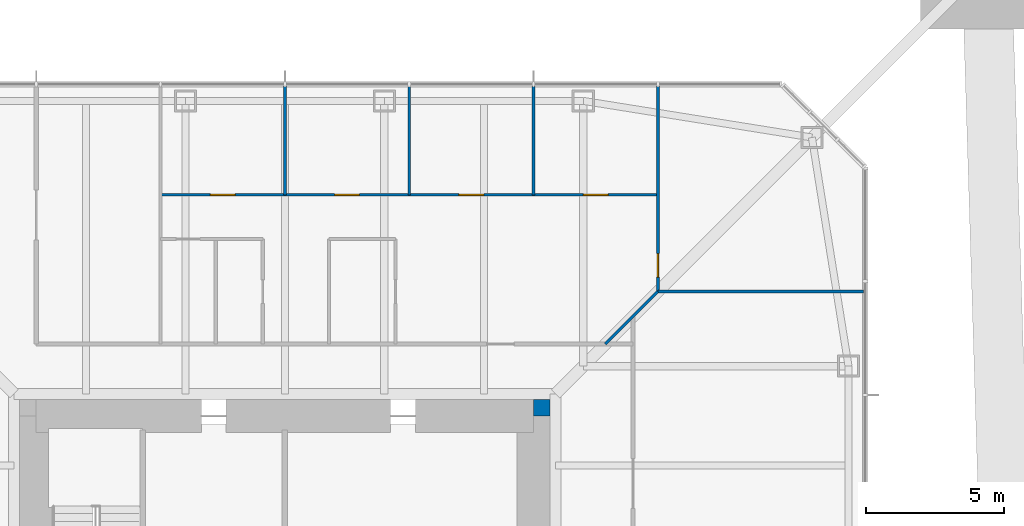
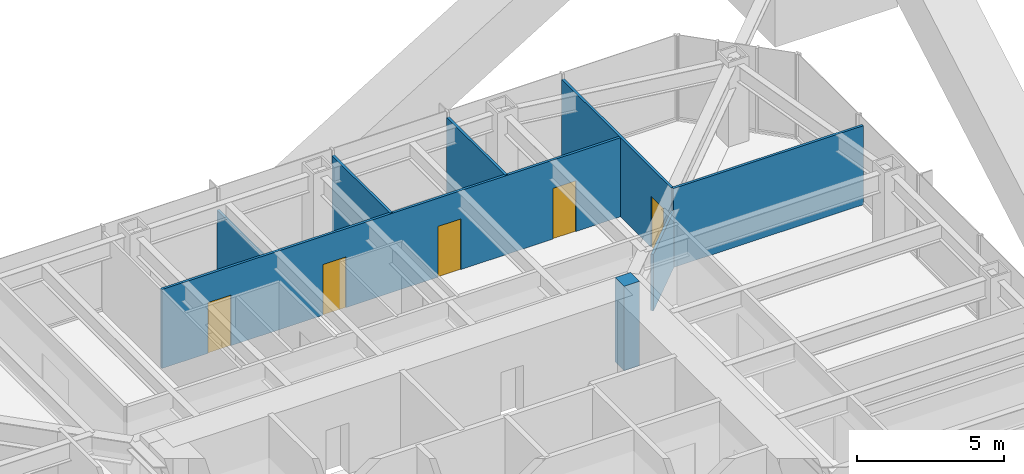
# One storey, part 20 of 28: 8 walls, 5 doors, 5 openings.
"""IFC4 building model written with IfcOpenShell, lengths in metres."""

from ifc_helpers import new_model, si_unit, direction, frame, frame_2d, origin, place, context, subcontext, project, spatial, rectangle, extrude, material, layer, layer_set, type_object, element, fill, save


model = new_model("IFC4")

# Units and contexts
model_context = context("Model", 3, precision=1e-05, world=origin(), true_north=direction((0.0, 1.0)))
body_context = subcontext(model_context, "Body", "Model", "MODEL_VIEW")
ifc_project = project(units=[si_unit("LENGTHUNIT", "METRE"), si_unit("AREAUNIT", "SQUARE_METRE"), si_unit("VOLUMEUNIT", "CUBIC_METRE"), si_unit("PLANEANGLEUNIT", "RADIAN"), si_unit("MASSUNIT", "GRAM", prefix="KILO")], contexts=[model_context])

# Site, building, storey
site_placement = place(None, origin())
site = spatial("IfcSite", under=ifc_project, at=site_placement, CompositionType="ELEMENT")
building_placement = place(site_placement, origin())
building = spatial("IfcBuilding", under=site, at=building_placement, Name="Iwan Alto Co-Living Towers", CompositionType="ELEMENT")
storey_placement = place(building_placement, frame((0.0, 0.0, 98.0)))
storey = spatial("IfcBuildingStorey", under=building, at=storey_placement, Name="L26", CompositionType="ELEMENT", Elevation=98.0)

# Wall
ifc_material_1 = material(Name="Gypsum board")
ifc_layer_1 = layer(ifc_material_1, 0.012451171875, Name="Board", Category="Finish")
ifc_material_2 = material(Name="Steel ASTM A1003 ST33H cold-formed studs", Category="steel")
ifc_layer_2 = layer(ifc_material_2, 0.074951171875, Name="Studs", Category="Framing")
ifc_layer_3 = layer(ifc_material_1, 0.012451171875, Name="Board", Category="Finish")
ifc_layer_set_1 = layer_set([ifc_layer_1, ifc_layer_2, ifc_layer_3], Name="PARTITION 100")
wall_type_1 = type_object("IfcWallType", Name="PARTITION 100", PredefinedType="PARTITIONING", material=ifc_layer_set_1)
wall_1_placement = place(storey_placement, frame((13.5, 13.5, 0.0), z_axis=(0.0, 0.0, 1.0), x_axis=(1.0, 0.0, 0.0)))
element("IfcWall", 1, at=wall_1_placement, inside=storey, type_object=wall_type_1, Name="Partition L26", PredefinedType="PARTITIONING", context=body_context, shape_type="SweptSolid", body=[
    extrude(rectangle(XDim=7.43994140625, YDim=0.10009765625, at=frame_2d((3.719970703125, 0.0))), origin(), (0.0, 0.0, 1.0), 3.27001953125),
])

# Wall, openings, doors
wall_2_placement = place(storey_placement, frame((-4.5, 17.0, 0.0), z_axis=(0.0, 0.0, 1.0), x_axis=(1.0, 0.0, 0.0)))
wall_2 = element("IfcWall", 2, at=wall_2_placement, inside=storey, type_object=wall_type_1, Name="Partition L26", PredefinedType="PARTITIONING", context=body_context, shape_type="SweptSolid", body=[
    extrude(rectangle(XDim=18.0, YDim=0.10009765625, at=frame_2d((9.0, 0.0))), origin(), (0.0, 0.0, 1.0), 3.27001953125),
])
opening_1_placement = place(wall_2_placement, frame((15.300048828125, 0.0, 0.0)))
opening_1 = element("IfcOpeningElement", 3, at=opening_1_placement, cuts=wall_2, Name="Opening D1", PredefinedType="OPENING", context=body_context, shape_type="SweptSolid", body=[
    extrude(rectangle(XDim=0.89990234375, YDim=2.10009765625, at=frame_2d((0.449951171875, 1.050048828125))), frame((0.0, 0.06005859375, 0.0), z_axis=(0.0, -1.0, 0.0), x_axis=(1.0, 0.0, 0.0)), (0.0, 0.0, 1.0), 0.1201171875),
])
opening_2_placement = place(wall_2_placement, frame((10.800048828125, 0.0, 0.0)))
opening_2 = element("IfcOpeningElement", 4, at=opening_2_placement, cuts=wall_2, Name="Opening D1", PredefinedType="OPENING", context=body_context, shape_type="SweptSolid", body=[
    extrude(rectangle(XDim=0.89990234375, YDim=2.10009765625, at=frame_2d((0.449951171875, 1.050048828125))), frame((0.0, 0.06005859375, 0.0), z_axis=(0.0, -1.0, 0.0), x_axis=(1.0, 0.0, 0.0)), (0.0, 0.0, 1.0), 0.1201171875),
])
opening_3_placement = place(wall_2_placement, frame((6.300048828125, 0.0, 0.0)))
opening_3 = element("IfcOpeningElement", 5, at=opening_3_placement, cuts=wall_2, Name="Opening D1", PredefinedType="OPENING", context=body_context, shape_type="SweptSolid", body=[
    extrude(rectangle(XDim=0.89990234375, YDim=2.10009765625, at=frame_2d((0.449951171875, 1.050048828125))), frame((0.0, 0.06005859375, 0.0), z_axis=(0.0, -1.0, 0.0), x_axis=(1.0, 0.0, 0.0)), (0.0, 0.0, 1.0), 0.1201171875),
])
opening_4_placement = place(wall_2_placement, frame((1.800048828125, 0.0, 0.0)))
opening_4 = element("IfcOpeningElement", 6, at=opening_4_placement, cuts=wall_2, Name="Opening D1", PredefinedType="OPENING", context=body_context, shape_type="SweptSolid", body=[
    extrude(rectangle(XDim=0.89990234375, YDim=2.10009765625, at=frame_2d((0.449951171875, 1.050048828125))), frame((0.0, 0.06005859375, 0.0), z_axis=(0.0, -1.0, 0.0), x_axis=(1.0, 0.0, 0.0)), (0.0, 0.0, 1.0), 0.1201171875),
])
ifc_material_3 = material(Name="Timber leaf in steel frame", Category="steel")
door_type_1 = type_object("IfcDoorType", Name="BEDROOM DOOR 900X2100", OperationType="SINGLE_SWING_LEFT", PredefinedType="DOOR", material=ifc_material_3)
door_1_placement = place(opening_1_placement, frame((0.89990234375, 0.0, 0.0), z_axis=(0.0, 0.0, 1.0), x_axis=(-1.0, 0.0, 0.0)))
door_1 = element("IfcDoor", 7, at=door_1_placement, inside=storey, type_object=door_type_1, Name="Study bedroom door L26", OperationType="SINGLE_SWING_LEFT", OverallHeight=2.10009765625, OverallWidth=0.89990234375, PredefinedType="DOOR", context=body_context, shape_type="SweptSolid", body=[
    extrude(rectangle(XDim=0.89990234375, YDim=2.10009765625, at=frame_2d((0.449951171875, 1.050048828125))), frame((0.0, 0.02490234375, 0.0), z_axis=(0.0, -1.0, 0.0), x_axis=(1.0, 0.0, 0.0)), (0.0, 0.0, 1.0), 0.050048828125),
])
fill(opening_1, door_1)
door_2_placement = place(opening_2_placement, frame((0.89990234375, 0.0, 0.0), z_axis=(0.0, 0.0, 1.0), x_axis=(-1.0, 0.0, 0.0)))
door_2 = element("IfcDoor", 8, at=door_2_placement, inside=storey, type_object=door_type_1, Name="Study bedroom door L26", OperationType="SINGLE_SWING_LEFT", OverallHeight=2.10009765625, OverallWidth=0.89990234375, PredefinedType="DOOR", context=body_context, shape_type="SweptSolid", body=[
    extrude(rectangle(XDim=0.89990234375, YDim=2.10009765625, at=frame_2d((0.449951171875, 1.050048828125))), frame((0.0, 0.02490234375, 0.0), z_axis=(0.0, -1.0, 0.0), x_axis=(1.0, 0.0, 0.0)), (0.0, 0.0, 1.0), 0.050048828125),
])
fill(opening_2, door_2)
door_3_placement = place(opening_3_placement, frame((0.89990234375, 0.0, 0.0), z_axis=(0.0, 0.0, 1.0), x_axis=(-1.0, 0.0, 0.0)))
door_3 = element("IfcDoor", 9, at=door_3_placement, inside=storey, type_object=door_type_1, Name="Study bedroom door L26", OperationType="SINGLE_SWING_RIGHT", OverallHeight=2.10009765625, OverallWidth=0.89990234375, PredefinedType="DOOR", context=body_context, shape_type="SweptSolid", body=[
    extrude(rectangle(XDim=0.89990234375, YDim=2.10009765625, at=frame_2d((0.449951171875, 1.050048828125))), frame((0.0, 0.02490234375, 0.0), z_axis=(0.0, -1.0, 0.0), x_axis=(1.0, 0.0, 0.0)), (0.0, 0.0, 1.0), 0.050048828125),
])
fill(opening_3, door_3)
door_4_placement = place(opening_4_placement, frame((0.89990234375, 0.0, 0.0), z_axis=(0.0, 0.0, 1.0), x_axis=(-1.0, 0.0, 0.0)))
door_4 = element("IfcDoor", 10, at=door_4_placement, inside=storey, type_object=door_type_1, Name="Study bedroom door L26", OperationType="SINGLE_SWING_RIGHT", OverallHeight=2.10009765625, OverallWidth=0.89990234375, PredefinedType="DOOR", context=body_context, shape_type="SweptSolid", body=[
    extrude(rectangle(XDim=0.89990234375, YDim=2.10009765625, at=frame_2d((0.449951171875, 1.050048828125))), frame((0.0, 0.02490234375, 0.0), z_axis=(0.0, -1.0, 0.0), x_axis=(1.0, 0.0, 0.0)), (0.0, 0.0, 1.0), 0.050048828125),
])
fill(opening_4, door_4)

# Wall
wall_3_placement = place(storey_placement, frame((11.60009765625, 11.60009765625, 0.0), z_axis=(0.0, 0.0, 1.0), x_axis=(0.707106781187, 0.707106781187, 0.0)))
element("IfcWall", 11, at=wall_3_placement, inside=storey, type_object=wall_type_1, Name="Partition L26", PredefinedType="PARTITIONING", context=body_context, shape_type="SweptSolid", body=[
    extrude(rectangle(XDim=2.686767578125, YDim=0.10009765625, at=frame_2d((1.34326171875, 0.0))), origin(), (0.0, 0.0, 1.0), 2.343017578125),
])

# Wall, opening, door
wall_4_placement = place(storey_placement, frame((13.5, 13.5, 0.0), z_axis=(0.0, 0.0, 1.0), x_axis=(0.0, 1.0, 0.0)))
wall_4 = element("IfcWall", 12, at=wall_4_placement, inside=storey, type_object=wall_type_1, Name="Partition L26", PredefinedType="PARTITIONING", context=body_context, shape_type="SweptSolid", body=[
    extrude(rectangle(XDim=7.43994140625, YDim=0.10009765625, at=frame_2d((3.719970703125, 0.0))), origin(), (0.0, 0.0, 1.0), 3.27001953125),
])
opening_5_placement = place(wall_4_placement, frame((0.52490234375, 0.0, 0.0)))
opening_5 = element("IfcOpeningElement", 13, at=opening_5_placement, cuts=wall_4, Name="Opening D2", PredefinedType="OPENING", context=body_context, shape_type="SweptSolid", body=[
    extrude(rectangle(XDim=0.85009765625, YDim=2.10009765625, at=frame_2d((0.425048828125, 1.050048828125))), frame((0.0, 0.06005859375, 0.0), z_axis=(0.0, -1.0, 0.0), x_axis=(1.0, 0.0, 0.0)), (0.0, 0.0, 1.0), 0.1201171875),
])
ifc_material_4 = material(Name="Timber leaf in steel frame", Category="steel")
door_type_2 = type_object("IfcDoorType", Name="ROOM DOOR 850X2100", OperationType="SINGLE_SWING_LEFT", PredefinedType="DOOR", material=ifc_material_4)
door_5_placement = place(opening_5_placement, origin())
door_5 = element("IfcDoor", 14, at=door_5_placement, inside=storey, type_object=door_type_2, Name="Shared kitchen and lounge door L26", OperationType="SINGLE_SWING_LEFT", OverallHeight=2.10009765625, OverallWidth=0.85009765625, PredefinedType="DOOR", context=body_context, shape_type="SweptSolid", body=[
    extrude(rectangle(XDim=0.85009765625, YDim=2.10009765625, at=frame_2d((0.425048828125, 1.050048828125))), frame((0.0, 0.02490234375, 0.0), z_axis=(0.0, -1.0, 0.0), x_axis=(1.0, 0.0, 0.0)), (0.0, 0.0, 1.0), 0.050048828125),
])
fill(opening_5, door_5)

# Walls
for number, where, z_axis, x_axis, name in (
    (15, (9.0, 17.0, 0.0), (0.0, 0.0, 1.0), (0.0, 1.0, 0.0), "Partition L26"),
    (16, (4.5, 17.0, 0.0), (0.0, 0.0, 1.0), (0.0, 1.0, 0.0), "Partition L26"),
):
    element("IfcWall", number, at=place(storey_placement, frame(where, z_axis=z_axis, x_axis=x_axis)), inside=storey, type_object=wall_type_1, Name=name, PredefinedType="PARTITIONING", context=body_context, shape_type="SweptSolid", body=[
        extrude(rectangle(XDim=3.93994140625, YDim=0.10009765625, at=frame_2d((1.969970703125, 0.0))), origin(), (0.0, 0.0, 1.0), 3.27001953125),
    ])
wall_5_placement = place(storey_placement, frame((0.0, 17.0, 0.0), z_axis=(0.0, 0.0, 1.0), x_axis=(0.0, 1.0, 0.0)))
element("IfcWall", 17, at=wall_5_placement, inside=storey, type_object=wall_type_1, Name="Partition L26", PredefinedType="PARTITIONING", context=body_context, shape_type="SweptSolid", body=[
    extrude(rectangle(XDim=3.93994140625, YDim=0.10009765625, at=frame_2d((1.969970703125, 0.0))), origin(), (0.0, 0.0, 1.0), 2.586669921875),
])
ifc_material_5 = material(Name="Concrete f'c 70 MPa", Category="concrete")
ifc_layer_4 = layer(ifc_material_5, 0.60009765625)
ifc_layer_set_2 = layer_set([ifc_layer_4], Name="T1 CORE CORNER FILL 600")
wall_type_2 = type_object("IfcWallType", Name="T1 CORE CORNER FILL 600", PredefinedType="SOLIDWALL", material=ifc_layer_set_2)
wall_6_placement = place(storey_placement, frame((9.0, 9.300048828125, 0.0), z_axis=(0.0, 0.0, 1.0), x_axis=(1.0, 0.0, 0.0)))
element("IfcWall", 18, at=wall_6_placement, inside=storey, type_object=wall_type_2, Name="T1 core corner NE L26", PredefinedType="SOLIDWALL", context=body_context, shape_type="SweptSolid", body=[
    extrude(rectangle(XDim=0.60009765625, YDim=0.60009765625, at=frame_2d((0.300048828125, 0.0))), origin(), (0.0, 0.0, 1.0), 3.5),
])

save(model, "model.ifc")
